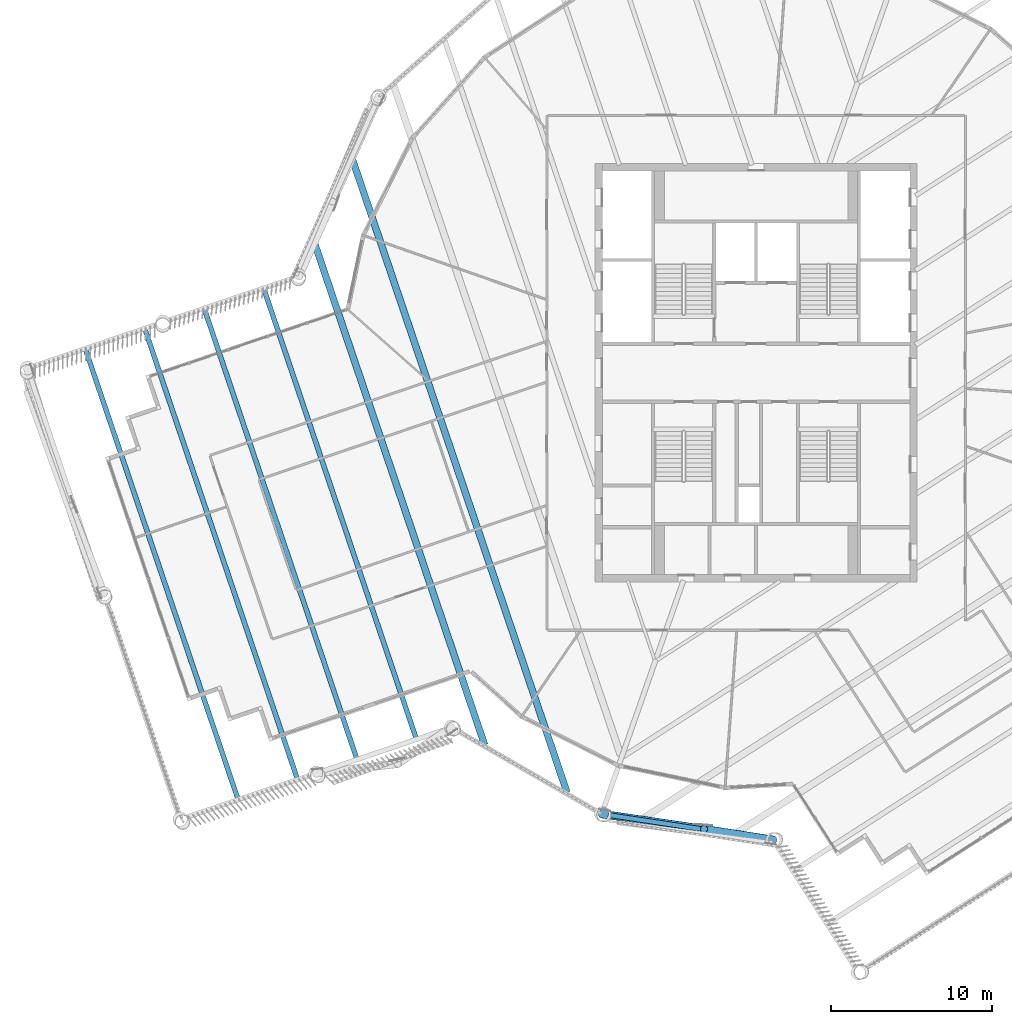
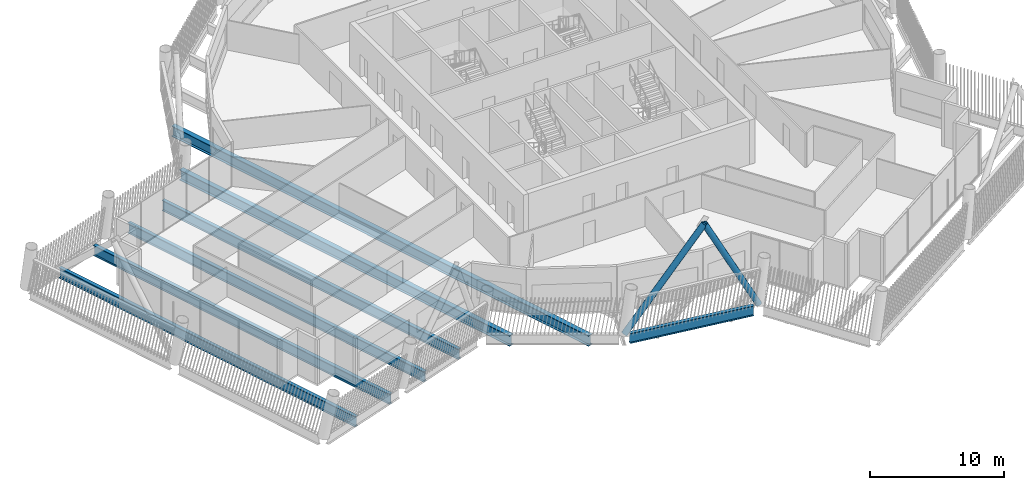
# One storey, part 4 of 35: 7 beams, 2 members.
"""IFC4 building model written with IfcOpenShell, lengths in metres."""

from ifc_helpers import new_model, si_unit, direction, frame, origin, origin_2d, place, context, subcontext, project, spatial, hollow_circle, i_section, extrude, material, material_profile, profile_set, type_object, element, save


model = new_model("IFC4")

# Units and contexts
model_context = context("Model", 3, precision=1e-05, world=origin(), true_north=direction((0.0, 1.0)))
body_context = subcontext(model_context, "Body", "Model", "MODEL_VIEW")
ifc_project = project(units=[si_unit("LENGTHUNIT", "METRE"), si_unit("AREAUNIT", "SQUARE_METRE"), si_unit("VOLUMEUNIT", "CUBIC_METRE"), si_unit("PLANEANGLEUNIT", "RADIAN"), si_unit("MASSUNIT", "GRAM", prefix="KILO")], contexts=[model_context])

# Site, building, storey
site_placement = place(None, origin())
site = spatial("IfcSite", under=ifc_project, at=site_placement, CompositionType="ELEMENT")
building_placement = place(site_placement, origin())
building = spatial("IfcBuilding", under=site, at=building_placement, Name="Tarsis Ring Headquarters", CompositionType="ELEMENT")
storey_placement = place(building_placement, frame((0.0, 0.0, 360.800048828125)))
storey = spatial("IfcBuildingStorey", under=building, at=storey_placement, Name="L85", CompositionType="ELEMENT", Elevation=360.800048828125)

# Beams
ifc_material = material(Name="Structural steel S355", Category="steel")
ifc_material_profile_1 = material_profile(ifc_material, i_section(OverallWidth=0.309814453125, OverallDepth=0.949951171875, WebThickness=0.0244140625, FlangeThickness=0.0439453125, at=origin_2d()), Name="W36x256")
ifc_profile_set_1 = profile_set([ifc_material_profile_1], Name="Structural steel S355")
beam_type_1 = type_object("IfcBeamType", Name="FB Floor beam W36x256", PredefinedType="JOIST", material=ifc_profile_set_1)
beam_1_placement = place(storey_placement, frame((-30.5888671875, 5.20556640625, -0.635009765625), z_axis=(0.320944400806, -0.947098036948, 0.0), x_axis=(0.947098036948, 0.320944400806, 0.0)))
element("IfcBeam", 1, at=beam_1_placement, inside=storey, type_object=beam_type_1, Name="Floor beam FB11", PredefinedType="JOIST", context=body_context, shape_type="SweptSolid", body=[
    extrude(i_section(OverallWidth=0.309814453125, OverallDepth=0.949951171875, WebThickness=0.0244140625, FlangeThickness=0.0439453125, at=origin_2d()), origin(), (0.0, 0.0, 1.0), 29.4951171875),
])
for number, where, z_axis, x_axis, name in (
    (2, (-34.28271484375, 3.9541015625, -0.635009765625), (0.320941884806, -0.947098889545, 0.0), (0.947098889545, 0.320941884806, 0.0), "Floor beam FB11"),
    (3, (-37.976318359375, 2.702392578125, -0.635009765625), (0.320941884806, -0.947098889545, 0.0), (0.947098889545, 0.320941884806, 0.0), "Floor beam FB11"),
):
    element("IfcBeam", number, at=place(storey_placement, frame(where, z_axis=z_axis, x_axis=x_axis)), inside=storey, type_object=beam_type_1, Name=name, PredefinedType="JOIST", context=body_context, shape_type="SweptSolid", body=[
        extrude(i_section(OverallWidth=0.309814453125, OverallDepth=0.949951171875, WebThickness=0.0244140625, FlangeThickness=0.0439453125, at=origin_2d()), origin(), (0.0, 0.0, 1.0), 29.495361328125),
    ])
beam_2_placement = place(storey_placement, frame((-41.669921875, 1.45068359375, -0.635009765625), z_axis=(0.320944400806, -0.947098036948, 0.0), x_axis=(0.947098036948, 0.320944400806, 0.0)))
element("IfcBeam", 4, at=beam_2_placement, inside=storey, type_object=beam_type_1, Name="Floor beam FB11", PredefinedType="JOIST", context=body_context, shape_type="SweptSolid", body=[
    extrude(i_section(OverallWidth=0.309814453125, OverallDepth=0.949951171875, WebThickness=0.0244140625, FlangeThickness=0.0439453125, at=origin_2d()), origin(), (0.0, 0.0, 1.0), 29.4951171875),
])
ifc_material_profile_2 = material_profile(ifc_material, i_section(OverallWidth=0.42431640625, OverallDepth=0.947509765625, WebThickness=0.02392578125, FlangeThickness=0.042724609375, at=origin_2d()), Name="W36x302")
ifc_profile_set_2 = profile_set([ifc_material_profile_2], Name="Structural steel S355")
beam_type_2 = type_object("IfcBeamType", Name="FB Floor beam W36x302", PredefinedType="JOIST", material=ifc_profile_set_2)
beam_3_placement = place(storey_placement, frame((-25.0830078125, 13.261474609375, -0.6337890625), z_axis=(0.320939547275, -0.947099681657, 0.0), x_axis=(0.947099681657, 0.320939547275, 0.0)))
element("IfcBeam", 5, at=beam_3_placement, inside=storey, type_object=beam_type_2, Name="Floor beam FB12", PredefinedType="JOIST", context=body_context, shape_type="SweptSolid", body=[
    extrude(i_section(OverallWidth=0.42431640625, OverallDepth=0.947509765625, WebThickness=0.02392578125, FlangeThickness=0.042724609375, at=origin_2d()), origin(), (0.0, 0.0, 1.0), 41.531494140625),
])
beam_4_placement = place(storey_placement, frame((-27.425048828125, 8.02099609375, -0.6337890625), z_axis=(0.320941421037, -0.947099046701, 0.0), x_axis=(0.947099046701, 0.320941421037, 0.0)))
element("IfcBeam", 6, at=beam_4_placement, inside=storey, type_object=beam_type_2, Name="Floor beam FB12", PredefinedType="JOIST", context=body_context, shape_type="SweptSolid", body=[
    extrude(i_section(OverallWidth=0.42431640625, OverallDepth=0.947509765625, WebThickness=0.02392578125, FlangeThickness=0.042724609375, at=origin_2d()), origin(), (0.0, 0.0, 1.0), 32.8828125),
])

# Members
ifc_material_profile_3 = material_profile(ifc_material, hollow_circle(Radius=0.25390625, WallThickness=0.02001953125, at=origin_2d()), Name="CHS 508x20")
ifc_profile_set_3 = profile_set([ifc_material_profile_3], Name="Structural steel S355")
member_type = type_object("IfcMemberType", Name="XD X brace CHS 508x20", PredefinedType="BRACE", material=ifc_profile_set_3)
member_1_placement = place(storey_placement, frame((-9.59130859375, -27.41943359375, 0.0), z_axis=(0.600798144614, -0.089011408435, 0.794429706517), x_axis=(0.146555550073, 0.989202441739, 0.0)))
element("IfcMember", 7, at=member_1_placement, inside=storey, type_object=member_type, Name="X brace XD2", PredefinedType="BRACE", context=body_context, shape_type="SweptSolid", body=[
    extrude(hollow_circle(Radius=0.25390625, WallThickness=0.02001953125, at=origin_2d()), origin(), (0.0, 0.0, 1.0), 10.573486328125),
])
member_2_placement = place(storey_placement, frame((1.059326171875, -29.029296875, 0.0), z_axis=(-0.454375768778, 0.07069214602, 0.888000721418), x_axis=(-0.153731362136, -0.988112679959, 0.0)))
element("IfcMember", 8, at=member_2_placement, inside=storey, type_object=member_type, Name="X brace XD2", PredefinedType="BRACE", context=body_context, shape_type="SweptSolid", body=[
    extrude(hollow_circle(Radius=0.25390625, WallThickness=0.02001953125, at=origin_2d()), origin(), (0.0, 0.0, 1.0), 9.459228515625),
])

# Beam
ifc_material_profile_4 = material_profile(ifc_material, i_section(OverallWidth=0.3046875, OverallDepth=0.91943359375, WebThickness=0.017333984375, FlangeThickness=0.02783203125, at=origin_2d()), Name="W36x170")
ifc_profile_set_4 = profile_set([ifc_material_profile_4], Name="Structural steel S355")
beam_type_3 = type_object("IfcBeamType", Name="XG Ring girder W36x170", PredefinedType="BEAM", material=ifc_profile_set_4)
beam_5_placement = place(storey_placement, frame((-9.1845703125, -27.48095703125, -0.459716796875), z_axis=(0.988769958724, -0.149445537652, 0.0), x_axis=(0.149445537652, 0.988769958724, 0.0)))
element("IfcBeam", 9, at=beam_5_placement, inside=storey, type_object=beam_type_3, Name="Ring girder XG4", PredefinedType="BEAM", context=body_context, shape_type="SweptSolid", body=[
    extrude(i_section(OverallWidth=0.3046875, OverallDepth=0.91943359375, WebThickness=0.017333984375, FlangeThickness=0.02783203125, at=origin_2d()), origin(), (0.0, 0.0, 1.0), 9.948974609375),
])

save(model, "model.ifc")
